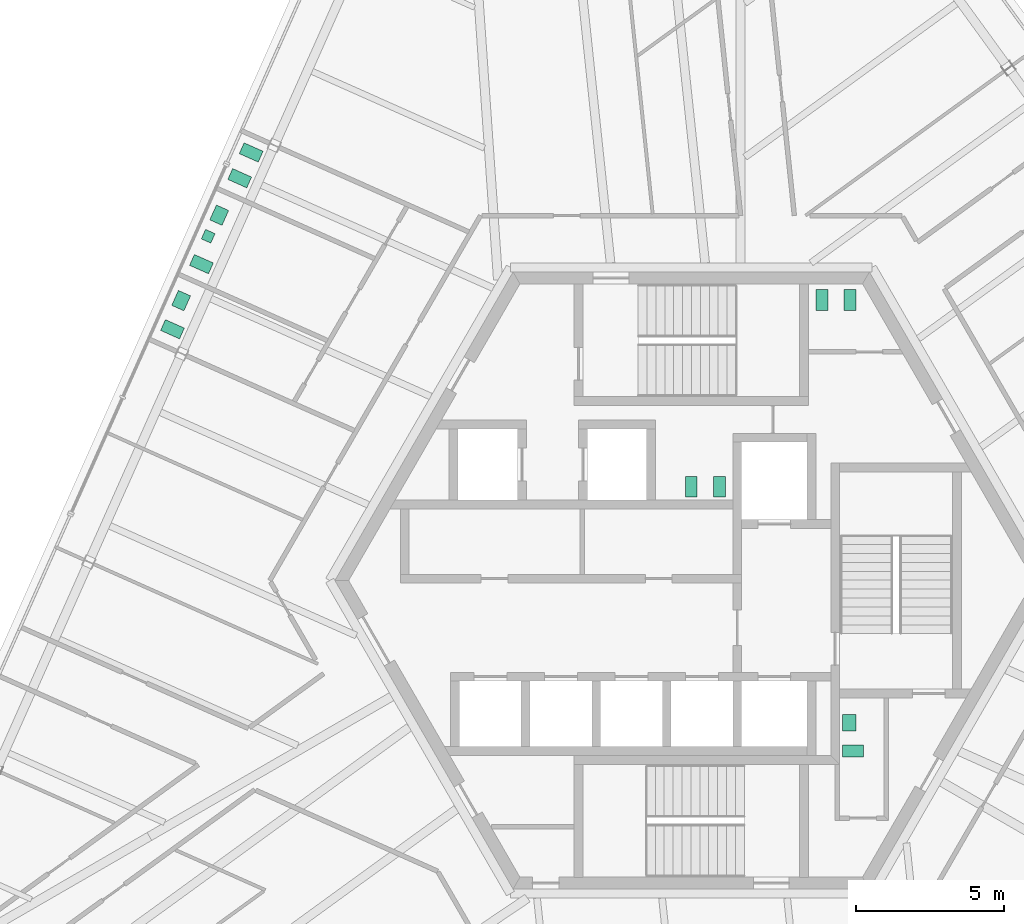
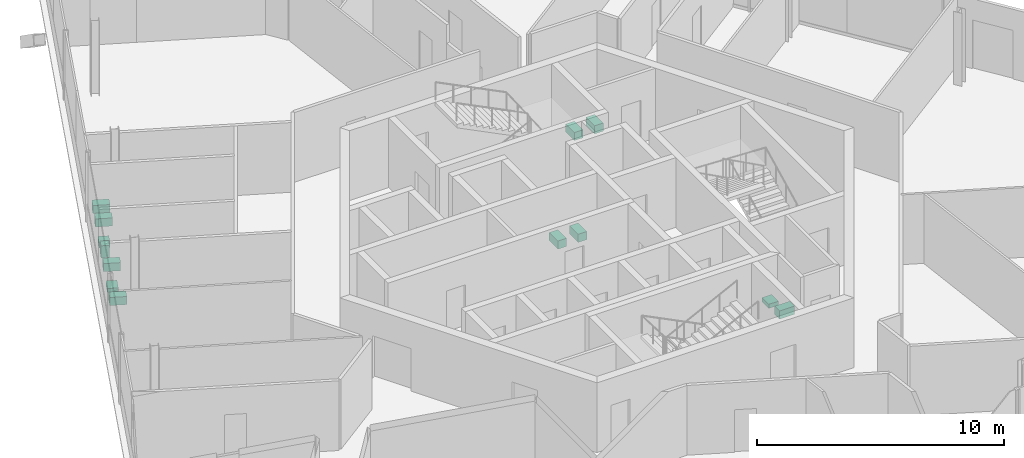
# One storey, part 17 of 19: 13 sanitary terminals.
"""IFC4 building model written with IfcOpenShell, lengths in metres."""

from ifc_helpers import new_model, si_unit, direction, frame, origin, origin_2d, place, context, subcontext, project, spatial, rectangle, extrude, source, transform, mapped, material, element, save


model = new_model("IFC4")

# Units and contexts
model_context = context("Model", 3, precision=1e-05, world=origin(), true_north=direction((0.0, 1.0)))
body_context = subcontext(model_context, "Body", "Model", "MODEL_VIEW")
ifc_project = project(units=[si_unit("LENGTHUNIT", "METRE"), si_unit("AREAUNIT", "SQUARE_METRE"), si_unit("VOLUMEUNIT", "CUBIC_METRE"), si_unit("PLANEANGLEUNIT", "RADIAN"), si_unit("MASSUNIT", "GRAM", prefix="KILO")], contexts=[model_context])

# Site, building, storey
site_placement = place(None, origin())
site = spatial("IfcSite", under=ifc_project, at=site_placement, CompositionType="ELEMENT")
building_placement = place(site_placement, origin())
building = spatial("IfcBuilding", under=site, at=building_placement, Name="Triune Harvest Tower", CompositionType="ELEMENT")
storey_placement = place(building_placement, frame((0.0, 0.0, 223.300048828125)))
storey = spatial("IfcBuildingStorey", under=building, at=storey_placement, Name="L58", CompositionType="ELEMENT", Elevation=223.300048828125)

# Sanitary terminals
ifc_material = material(Name="Vitreous china")
shared_shape_1 = source(origin(), body_context, "Body", "SweptSolid", [
    extrude(rectangle(XDim=0.39990234375, YDim=0.699951171875, at=origin_2d()), origin(), (0.0, 0.0, 1.0), 0.39990234375),
])
for number, where, z_axis, x_axis, name in (
    (1, (4.39990234375, 9.449951171875, 0.0), (0.0, 0.0, 1.0), (1.0, 0.0, 0.0), "Toilet pan L58.c01"),
    (2, (5.35009765625, 9.449951171875, 0.0), (0.0, 0.0, 1.0), (1.0, 0.0, 0.0), "Toilet pan L58.c02"),
    (3, (0.949951171875, 3.159912109375, 0.0), (0.0, 0.0, 1.0), (-1.0, 0.0, 0.0), "Toilet pan L58.c03"),
    (4, (0.0, 3.159912109375, 0.0), (0.0, 0.0, 1.0), (-1.0, 0.0, 0.0), "Toilet pan L58.c04"),
    (5, (5.449951171875, -5.739990234375, 0.0), (0.0, 0.0, 1.0), (0.0, 1.0, 0.0), "Toilet pan L58.c05"),
    (6, (-15.207275390625, 13.54931640625, 0.0), (0.0, 0.0, 1.0), (0.406736643076, 0.913545457643, 0.0), "Toilet pan 01"),
    (7, (-14.82080078125, 14.417236328125, 0.0), (0.0, 0.0, 1.0), (0.406736643076, 0.913545457643, 0.0), "Toilet pan 02"),
    (8, (-16.49560546875, 10.65576171875, 0.0), (0.0, 0.0, 1.0), (0.406736643076, 0.913545457643, 0.0), "Toilet pan 03"),
    (9, (-17.4716796875, 8.463134765625, 0.0), (0.0, 0.0, 1.0), (0.40675258739, 0.91353835861, 0.0), "Toilet pan 06"),
):
    element("IfcSanitaryTerminal", number, at=place(storey_placement, frame(where, z_axis=z_axis, x_axis=x_axis)), inside=storey, material=ifc_material, Name=name, PredefinedType="TOILETPAN", context=body_context, shape_type="MappedRepresentation", body=[
        mapped(shared_shape_1, transform((0.0, 0.0, 0.0), scale=1.0)),
    ])
shared_shape_2 = source(origin(), body_context, "Body", "SweptSolid", [
    extrude(rectangle(XDim=0.35009765625, YDim=0.35009765625, at=origin_2d()), origin(), (0.0, 0.0, 1.0), 0.60009765625),
])
sanitary_terminal_placement = place(storey_placement, frame((-16.26904296875, 11.5947265625, 0.0), z_axis=(0.0, 0.0, 1.0), x_axis=(0.406736643076, 0.913545457643, 0.0)))
element("IfcSanitaryTerminal", 10, at=sanitary_terminal_placement, inside=storey, material=ifc_material, Name="Urinal 04", PredefinedType="URINAL", context=body_context, shape_type="MappedRepresentation", body=[
    mapped(shared_shape_2, transform((0.0, 0.0, 0.0), scale=1.0)),
])
shared_shape_3 = source(origin(), body_context, "Body", "SweptSolid", [
    extrude(rectangle(XDim=0.550048828125, YDim=0.449951171875, at=origin_2d()), origin(), (0.0, 0.0, 1.0), 0.199951171875),
])
for number, where, z_axis, x_axis, name in (
    (11, (5.324951171875, -4.7900390625, 0.0), (0.0, 0.0, 1.0), (0.0, 1.0, 0.0), "Wash basin L58.c06"),
    (12, (-15.89794921875, 12.30517578125, 0.0), (0.0, 0.0, 1.0), (0.406736643076, 0.913545457643, 0.0), "Wash basin 05"),
    (13, (-17.17919921875, 9.427490234375, 0.0), (0.0, 0.0, 1.0), (0.40675258739, 0.91353835861, 0.0), "Wash basin 07"),
):
    element("IfcSanitaryTerminal", number, at=place(storey_placement, frame(where, z_axis=z_axis, x_axis=x_axis)), inside=storey, material=ifc_material, Name=name, PredefinedType="WASHHANDBASIN", context=body_context, shape_type="MappedRepresentation", body=[
        mapped(shared_shape_3, transform((0.0, 0.0, 0.0), scale=1.0)),
    ])

save(model, "model.ifc")
